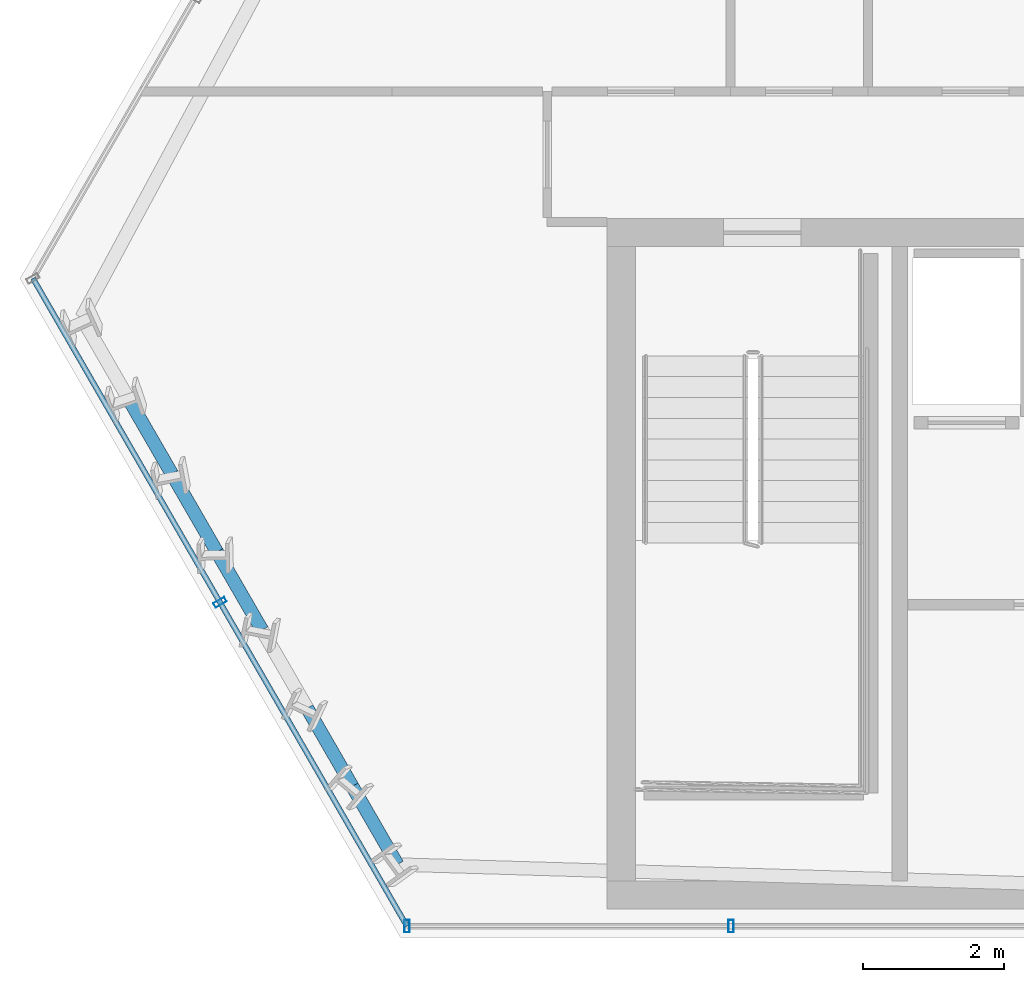
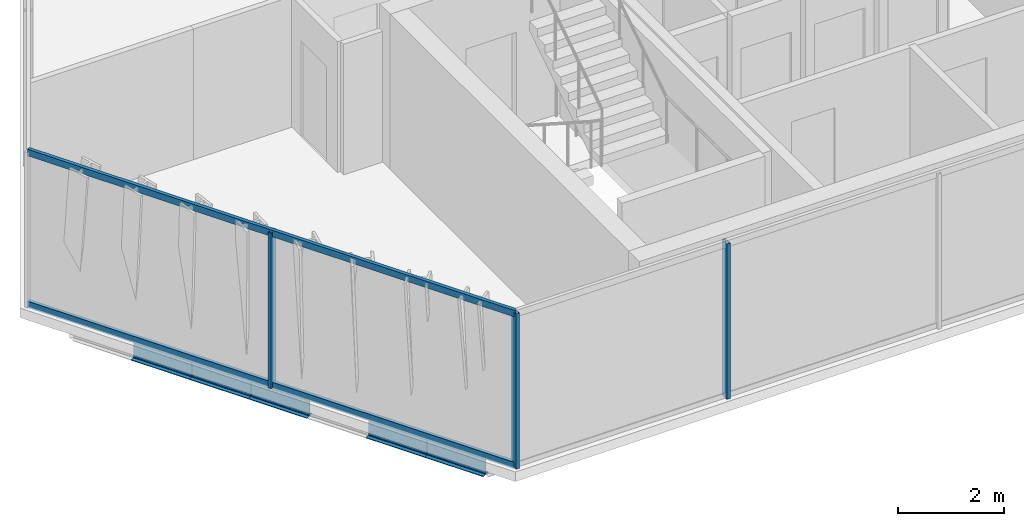
# One storey, part 2 of 33: 5 beams, 5 members, 2 elements without a shape of their own.
"""IFC4 building model written with IfcOpenShell, lengths in metres."""

from ifc_helpers import new_model, si_unit, direction, frame, origin, origin_2d, place, context, subcontext, project, spatial, hollow_rectangle, i_section, extrude, material, layer, layer_set, material_profile, profile_set, type_object, element, aggregate, save


model = new_model("IFC4")

# Units and contexts
model_context = context("Model", 3, precision=1e-05, world=origin(), true_north=direction((0.0, 1.0)))
body_context = subcontext(model_context, "Body", "Model", "MODEL_VIEW")
ifc_project = project(units=[si_unit("LENGTHUNIT", "METRE"), si_unit("AREAUNIT", "SQUARE_METRE"), si_unit("VOLUMEUNIT", "CUBIC_METRE"), si_unit("PLANEANGLEUNIT", "RADIAN"), si_unit("MASSUNIT", "GRAM", prefix="KILO")], contexts=[model_context])

# Site, building, storey
site_placement = place(None, origin())
site = spatial("IfcSite", under=ifc_project, at=site_placement, CompositionType="ELEMENT")
building_placement = place(site_placement, origin())
building = spatial("IfcBuilding", under=site, at=building_placement, Name="Ndaravel Arena Tower", CompositionType="ELEMENT")
storey_placement = place(building_placement, frame((0.0, 0.0, 168.800048828125)))
storey = spatial("IfcBuildingStorey", under=building, at=storey_placement, Name="L40", CompositionType="ELEMENT", Elevation=168.800048828125)

# Beams
ifc_material_1 = material(Name="Steel S355", Category="steel")
ifc_material_profile_1 = material_profile(ifc_material_1, i_section(OverallWidth=0.18994140625, OverallDepth=0.449951171875, WebThickness=0.009521484375, FlangeThickness=0.0146484375, FilletRadius=0.02099609375, at=origin_2d()), Name="IPE 450")
ifc_profile_set_1 = profile_set([ifc_material_profile_1], Name="Steel S355")
beam_type = type_object("IfcBeamType", Name="BM-SPAN-IPE450", PredefinedType="SPANDREL", material=ifc_profile_set_1)
beam_1_placement = place(storey_placement, frame((19.634033203125, 12.685546875, -0.445068359375), z_axis=(0.500036104519, -0.866004557827, 0.0), x_axis=(0.866004557827, 0.500036104519, 0.0)))
element("IfcBeam", 1, at=beam_1_placement, inside=storey, type_object=beam_type, Name="L40 Perimeter Spandrel Beam SP-21", PredefinedType="SPANDREL", context=body_context, shape_type="SweptSolid", body=[
    extrude(i_section(OverallWidth=0.18994140625, OverallDepth=0.449951171875, WebThickness=0.009521484375, FlangeThickness=0.0146484375, FilletRadius=0.02099609375, at=origin_2d()), origin(), (0.0, 0.0, 1.0), 1.2802734375),
])
beam_2_placement = place(storey_placement, frame((20.274169921875, 11.576904296875, -0.445068359375), z_axis=(0.499975646431, -0.866039463868, 0.0), x_axis=(0.866039463868, 0.499975646431, 0.0)))
element("IfcBeam", 2, at=beam_2_placement, inside=storey, type_object=beam_type, Name="L40 Perimeter Spandrel Beam SP-22", PredefinedType="SPANDREL", context=body_context, shape_type="SweptSolid", body=[
    extrude(i_section(OverallWidth=0.18994140625, OverallDepth=0.449951171875, WebThickness=0.009521484375, FlangeThickness=0.0146484375, FilletRadius=0.02099609375, at=origin_2d()), origin(), (0.0, 0.0, 1.0), 1.27978515625),
])
for number, where, z_axis, x_axis, name in (
    (3, (20.9140625, 10.468505859375, -0.445068359375), (0.500036104519, -0.866004557827, 0.0), (0.866004557827, 0.500036104519, 0.0), "L40 Perimeter Spandrel Beam SP-23"),
    (4, (22.194091796875, 8.25146484375, -0.445068359375), (0.500036104519, -0.866004557827, 0.0), (0.866004557827, 0.500036104519, 0.0), "L40 Perimeter Spandrel Beam SP-25"),
):
    element("IfcBeam", number, at=place(storey_placement, frame(where, z_axis=z_axis, x_axis=x_axis)), inside=storey, type_object=beam_type, Name=name, PredefinedType="SPANDREL", context=body_context, shape_type="SweptSolid", body=[
        extrude(i_section(OverallWidth=0.18994140625, OverallDepth=0.449951171875, WebThickness=0.009521484375, FlangeThickness=0.0146484375, FilletRadius=0.02099609375, at=origin_2d()), origin(), (0.0, 0.0, 1.0), 1.2802734375),
    ])
beam_3_placement = place(storey_placement, frame((22.834228515625, 7.142822265625, -0.445068359375), z_axis=(0.499893060024, -0.866087136806, 0.0), x_axis=(0.866087136806, 0.499893060024, 0.0)))
element("IfcBeam", 5, at=beam_3_placement, inside=storey, type_object=beam_type, Name="L40 Perimeter Spandrel Beam SP-26", PredefinedType="SPANDREL", context=body_context, shape_type="SweptSolid", body=[
    extrude(i_section(OverallWidth=0.18994140625, OverallDepth=0.449951171875, WebThickness=0.009521484375, FlangeThickness=0.0146484375, FilletRadius=0.02099609375, at=origin_2d()), origin(), (0.0, 0.0, 1.0), 1.280029296875),
])

# Curtain wall, members
ifc_material_2 = material(Name="Aluminium", Category="aluminium")
ifc_layer_1 = layer(ifc_material_2, 0.179931640625)
ifc_layer_set_1 = layer_set([ifc_layer_1], Name="Aluminium")
curtain_wall_type_1 = type_object("IfcCurtainWallType", Name="CW-SYS-03", PredefinedType="NOTDEFINED", material=ifc_layer_set_1)
curtain_wall_1_placement = place(storey_placement, origin())
curtain_wall_1 = element("IfcCurtainWall", 6, at=curtain_wall_1_placement, inside=storey, type_object=curtain_wall_type_1, Name="L40 Faceted Crystal Curtain Wall CW-L40-E01", PredefinedType="NOTDEFINED")
ifc_material_3 = material(Name="Aluminium", Category="aluminium")
ifc_material_profile_2 = material_profile(ifc_material_3, hollow_rectangle(XDim=0.074951171875, YDim=0.179931640625, WallThickness=0.00390625, at=origin_2d()), Name="CW MULLION 75x180x4")
ifc_profile_set_2 = profile_set([ifc_material_profile_2], Name="Aluminium")
member_type_1 = type_object("IfcMemberType", Name="MEM-CW-MUL180", PredefinedType="MULLION", material=ifc_profile_set_2)
member_1_placement = place(storey_placement, frame((23.609619140625, 5.159912109375, 0.0), z_axis=(0.0, 0.0, 1.0), x_axis=(1.0, 0.0, 0.0)))
member_1 = element("IfcMember", 7, at=member_1_placement, type_object=member_type_1, Name="CW-L40-E01 Mullion 00", PredefinedType="MULLION", context=body_context, shape_type="SweptSolid", body=[
    extrude(hollow_rectangle(XDim=0.074951171875, YDim=0.179931640625, WallThickness=0.00390625, at=origin_2d()), origin(), (0.0, 0.0, 1.0), 3.579833984375),
])
member_2_placement = place(storey_placement, frame((28.20703125, 5.159912109375, 0.0), z_axis=(0.0, 0.0, 1.0), x_axis=(1.0, 0.0, 0.0)))
member_2 = element("IfcMember", 8, at=member_2_placement, type_object=member_type_1, Name="CW-L40-E01 Mullion 01", PredefinedType="MULLION", context=body_context, shape_type="SweptSolid", body=[
    extrude(hollow_rectangle(XDim=0.074951171875, YDim=0.179931640625, WallThickness=0.00390625, at=origin_2d()), origin(), (0.0, 0.0, 1.0), 3.579833984375),
])
aggregate(curtain_wall_1, [member_1, member_2])

ifc_material_4 = material(Name="Aluminium", Category="aluminium")
ifc_layer_2 = layer(ifc_material_4, 0.179931640625)
ifc_layer_set_2 = layer_set([ifc_layer_2], Name="Aluminium")
curtain_wall_type_2 = type_object("IfcCurtainWallType", Name="CW-SYS-02", PredefinedType="NOTDEFINED", material=ifc_layer_set_2)
curtain_wall_2_placement = place(storey_placement, origin())
curtain_wall_2 = element("IfcCurtainWall", 9, at=curtain_wall_2_placement, inside=storey, type_object=curtain_wall_type_2, Name="L40 Faceted Crystal Curtain Wall CW-L40-E06", PredefinedType="NOTDEFINED")
member_3_placement = place(storey_placement, frame((20.95703125, 9.754150390625, 0.0), z_axis=(0.0, 0.0, 1.0), x_axis=(0.5, -0.866025403784, 0.0)))
member_3 = element("IfcMember", 10, at=member_3_placement, type_object=member_type_1, Name="CW-L40-E06 Mullion 01", PredefinedType="MULLION", context=body_context, shape_type="SweptSolid", body=[
    extrude(hollow_rectangle(XDim=0.074951171875, YDim=0.179931640625, WallThickness=0.00390625, at=origin_2d()), origin(), (0.0, 0.0, 1.0), 3.579833984375),
])
ifc_material_5 = material(Name="Aluminium", Category="aluminium")
ifc_material_profile_3 = material_profile(ifc_material_5, hollow_rectangle(XDim=0.074951171875, YDim=0.14990234375, WallThickness=0.00390625, at=origin_2d()), Name="CW TRANSOM 75x150x4")
ifc_profile_set_3 = profile_set([ifc_material_profile_3], Name="Aluminium")
member_type_2 = type_object("IfcMemberType", Name="MEM-CW-TRN150", PredefinedType="USERDEFINED", material=ifc_profile_set_3)
member_4_placement = place(storey_placement, frame((18.3046875, 14.348388671875, 0.0400390625), z_axis=(0.499997329654, -0.866026945504, 0.0), x_axis=(0.866026945504, 0.499997329654, 0.0)))
member_4 = element("IfcMember", 11, at=member_4_placement, type_object=member_type_2, Name="CW-L40-E06 Transom 01", ObjectType="TRANSOM", PredefinedType="USERDEFINED", context=body_context, shape_type="SweptSolid", body=[
    extrude(hollow_rectangle(XDim=0.074951171875, YDim=0.14990234375, WallThickness=0.00390625, at=origin_2d()), origin(), (0.0, 0.0, 1.0), 10.60986328125),
])
member_5_placement = place(storey_placement, frame((18.3046875, 14.348388671875, 3.5400390625), z_axis=(0.499997329654, -0.866026945504, 0.0), x_axis=(0.866026945504, 0.499997329654, 0.0)))
member_5 = element("IfcMember", 12, at=member_5_placement, type_object=member_type_2, Name="CW-L40-E06 Transom 02", ObjectType="TRANSOM", PredefinedType="USERDEFINED", context=body_context, shape_type="SweptSolid", body=[
    extrude(hollow_rectangle(XDim=0.074951171875, YDim=0.14990234375, WallThickness=0.00390625, at=origin_2d()), origin(), (0.0, 0.0, 1.0), 10.60986328125),
])
aggregate(curtain_wall_2, [member_3, member_4, member_5])

save(model, "model.ifc")
